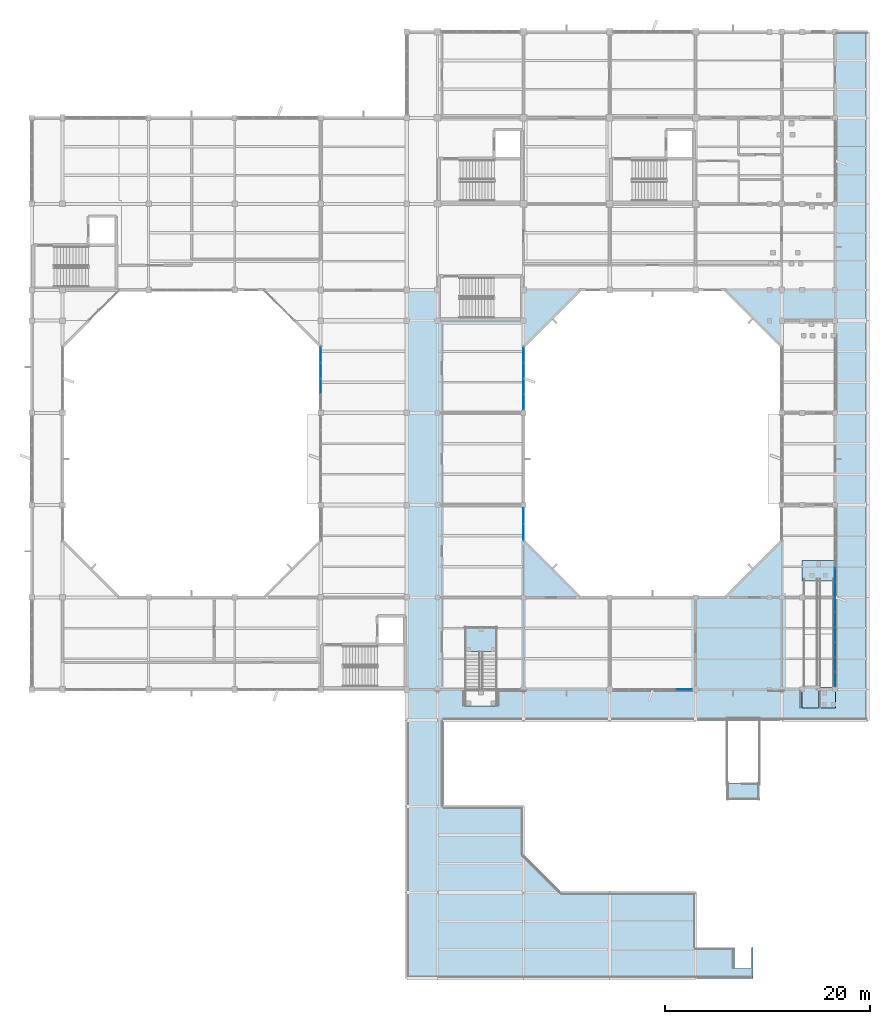
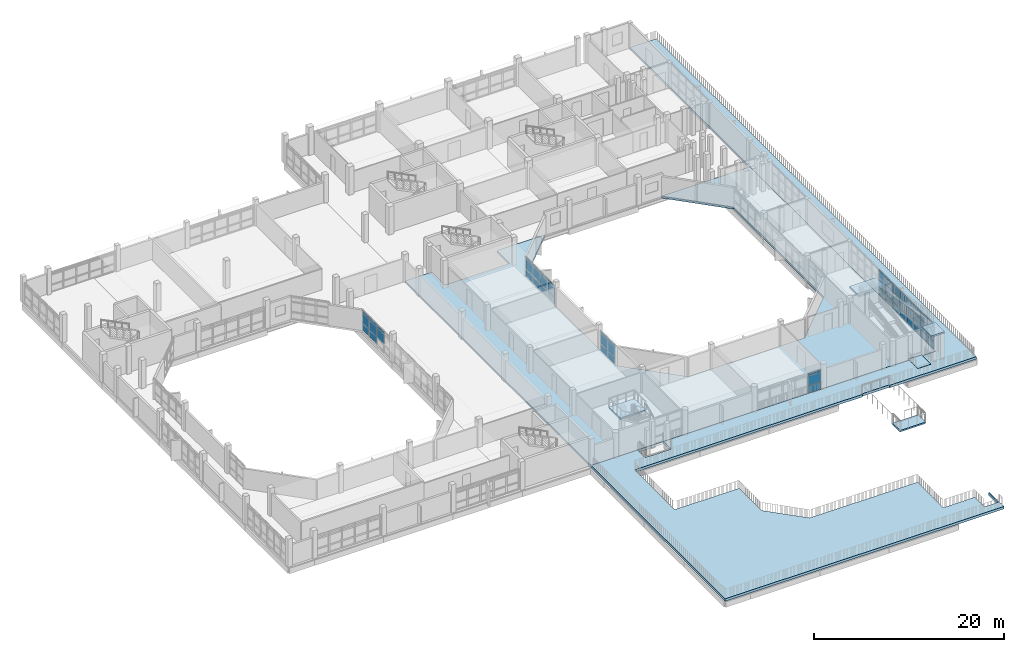
# One storey, part 25 of 51: 53 plates, 7 slabs, 7 elements without a shape of their own.
"""IFC4 building model written with IfcOpenShell, lengths in metres."""

from ifc_helpers import new_model, si_unit, direction, frame, origin, origin_2d, place, context, subcontext, project, spatial, polyline, rectangle, outline, extrude, material, layer, layer_set, type_object, element, aggregate, save


model = new_model("IFC4")

# Units and contexts
model_context = context("Model", 3, precision=1e-05, world=origin(), true_north=direction((0.0, 1.0)))
body_context = subcontext(model_context, "Body", "Model", "MODEL_VIEW")
ifc_project = project(units=[si_unit("LENGTHUNIT", "METRE"), si_unit("AREAUNIT", "SQUARE_METRE"), si_unit("VOLUMEUNIT", "CUBIC_METRE"), si_unit("PLANEANGLEUNIT", "RADIAN"), si_unit("MASSUNIT", "GRAM", prefix="KILO")], contexts=[model_context])

# Site, building, storey
site_placement = place(None, origin())
site = spatial("IfcSite", under=ifc_project, at=site_placement, CompositionType="ELEMENT")
building_placement = place(site_placement, origin())
building = spatial("IfcBuilding", under=site, at=building_placement, Name="Vanh Quang Courtyard School", CompositionType="ELEMENT")
storey_placement = place(building_placement, frame((0.0, 0.0, 11.39990234375)))
storey = spatial("IfcBuildingStorey", under=building, at=storey_placement, Name="L03", CompositionType="ELEMENT", Elevation=11.39990234375)

# Curtain wall, plates
ifc_material_1 = material(Name="Thermally broken aluminium unitised curtain wall", Category="aluminium")
curtain_wall_type_1 = type_object("IfcCurtainWallType", Name="CW-SYS-60", PredefinedType="NOTDEFINED", material=ifc_material_1)
curtain_wall_1_placement = place(storey_placement, origin())
curtain_wall_1 = element("IfcCurtainWall", 1, at=curtain_wall_1_placement, inside=storey, type_object=curtain_wall_type_1, Name="Curtain Wall CW-60 (L03)", PredefinedType="NOTDEFINED")
ifc_material_2 = material(Name="Low-E laminated double glazing", Category="glass")
ifc_layer_1 = layer(ifc_material_2, 0.028076171875)
ifc_layer_set_1 = layer_set([ifc_layer_1], Name="Low-E laminated double glazing")
plate_type_1 = type_object("IfcPlateType", Name="CW-PNL-28", PredefinedType="CURTAIN_PANEL", material=ifc_layer_set_1)
plate_1_placement = place(storey_placement, frame((116.199951171875, 43.58544921875, 0.080078125), z_axis=(0.0, 0.0, 1.0), x_axis=(0.0, -1.0, 0.0)))
plate_1 = element("IfcPlate", 2, at=plate_1_placement, type_object=plate_type_1, Name="CW-60 panel 5.1", PredefinedType="CURTAIN_PANEL", context=body_context, shape_type="SweptSolid", body=[
    extrude(rectangle(XDim=1.376953125, YDim=0.028076171875, at=origin_2d()), origin(), (0.0, 0.0, 1.0), 0.830078125),
])
plate_2_placement = place(storey_placement, frame((116.199951171875, 43.58544921875, 0.990234375), z_axis=(0.0, 0.0, 1.0), x_axis=(0.0, -1.0, 0.0)))
plate_2 = element("IfcPlate", 3, at=plate_2_placement, type_object=plate_type_1, Name="CW-60 panel 5.2", PredefinedType="CURTAIN_PANEL", context=body_context, shape_type="SweptSolid", body=[
    extrude(rectangle(XDim=1.376953125, YDim=0.028076171875, at=origin_2d()), origin(), (0.0, 0.0, 1.0), 1.219970703125),
])
plate_3_placement = place(storey_placement, frame((116.199951171875, 43.58544921875, 2.2900390625), z_axis=(0.0, 0.0, 1.0), x_axis=(0.0, -1.0, 0.0)))
plate_3 = element("IfcPlate", 4, at=plate_3_placement, type_object=plate_type_1, Name="CW-60 panel 5.3", PredefinedType="CURTAIN_PANEL", context=body_context, shape_type="SweptSolid", body=[
    extrude(rectangle(XDim=1.376953125, YDim=0.028076171875, at=origin_2d()), origin(), (0.0, 0.0, 1.0), 0.969970703125),
])
plate_4_placement = place(storey_placement, frame((116.199951171875, 42.12841796875, 0.080078125), z_axis=(0.0, 0.0, 1.0), x_axis=(0.0, -1.0, 0.0)))
plate_4 = element("IfcPlate", 5, at=plate_4_placement, type_object=plate_type_1, Name="CW-60 panel 6.1", PredefinedType="CURTAIN_PANEL", context=body_context, shape_type="SweptSolid", body=[
    extrude(rectangle(XDim=1.376953125, YDim=0.028076171875, at=origin_2d()), origin(), (0.0, 0.0, 1.0), 0.830078125),
])
plate_5_placement = place(storey_placement, frame((116.199951171875, 42.12841796875, 0.990234375), z_axis=(0.0, 0.0, 1.0), x_axis=(0.0, -1.0, 0.0)))
plate_5 = element("IfcPlate", 6, at=plate_5_placement, type_object=plate_type_1, Name="CW-60 panel 6.2", PredefinedType="CURTAIN_PANEL", context=body_context, shape_type="SweptSolid", body=[
    extrude(rectangle(XDim=1.376953125, YDim=0.028076171875, at=origin_2d()), origin(), (0.0, 0.0, 1.0), 1.219970703125),
])
plate_6_placement = place(storey_placement, frame((116.199951171875, 42.12841796875, 2.2900390625), z_axis=(0.0, 0.0, 1.0), x_axis=(0.0, -1.0, 0.0)))
plate_6 = element("IfcPlate", 7, at=plate_6_placement, type_object=plate_type_1, Name="CW-60 panel 6.3", PredefinedType="CURTAIN_PANEL", context=body_context, shape_type="SweptSolid", body=[
    extrude(rectangle(XDim=1.376953125, YDim=0.028076171875, at=origin_2d()), origin(), (0.0, 0.0, 1.0), 0.969970703125),
])
plate_7_placement = place(storey_placement, frame((116.199951171875, 40.67138671875, 0.080078125), z_axis=(0.0, 0.0, 1.0), x_axis=(0.0, -1.0, 0.0)))
plate_7 = element("IfcPlate", 8, at=plate_7_placement, type_object=plate_type_1, Name="CW-60 panel 7.1", PredefinedType="CURTAIN_PANEL", context=body_context, shape_type="SweptSolid", body=[
    extrude(rectangle(XDim=1.376953125, YDim=0.028076171875, at=origin_2d()), origin(), (0.0, 0.0, 1.0), 0.830078125),
])
plate_8_placement = place(storey_placement, frame((116.199951171875, 40.67138671875, 0.990234375), z_axis=(0.0, 0.0, 1.0), x_axis=(0.0, -1.0, 0.0)))
plate_8 = element("IfcPlate", 9, at=plate_8_placement, type_object=plate_type_1, Name="CW-60 panel 7.2", PredefinedType="CURTAIN_PANEL", context=body_context, shape_type="SweptSolid", body=[
    extrude(rectangle(XDim=1.376953125, YDim=0.028076171875, at=origin_2d()), origin(), (0.0, 0.0, 1.0), 1.219970703125),
])
plate_9_placement = place(storey_placement, frame((116.199951171875, 40.67138671875, 2.2900390625), z_axis=(0.0, 0.0, 1.0), x_axis=(0.0, -1.0, 0.0)))
plate_9 = element("IfcPlate", 10, at=plate_9_placement, type_object=plate_type_1, Name="CW-60 panel 7.3", PredefinedType="CURTAIN_PANEL", context=body_context, shape_type="SweptSolid", body=[
    extrude(rectangle(XDim=1.376953125, YDim=0.028076171875, at=origin_2d()), origin(), (0.0, 0.0, 1.0), 0.969970703125),
])
plate_10_placement = place(storey_placement, frame((116.199951171875, 39.214599609375, 0.080078125), z_axis=(0.0, 0.0, 1.0), x_axis=(0.0, -1.0, 0.0)))
plate_10 = element("IfcPlate", 11, at=plate_10_placement, type_object=plate_type_1, Name="CW-60 panel 8.1", PredefinedType="CURTAIN_PANEL", context=body_context, shape_type="SweptSolid", body=[
    extrude(rectangle(XDim=1.376953125, YDim=0.028076171875, at=origin_2d()), origin(), (0.0, 0.0, 1.0), 0.830078125),
])
plate_11_placement = place(storey_placement, frame((116.199951171875, 39.214599609375, 0.990234375), z_axis=(0.0, 0.0, 1.0), x_axis=(0.0, -1.0, 0.0)))
plate_11 = element("IfcPlate", 12, at=plate_11_placement, type_object=plate_type_1, Name="CW-60 panel 8.2", PredefinedType="CURTAIN_PANEL", context=body_context, shape_type="SweptSolid", body=[
    extrude(rectangle(XDim=1.376953125, YDim=0.028076171875, at=origin_2d()), origin(), (0.0, 0.0, 1.0), 1.219970703125),
])
plate_12_placement = place(storey_placement, frame((116.199951171875, 39.214599609375, 2.2900390625), z_axis=(0.0, 0.0, 1.0), x_axis=(0.0, -1.0, 0.0)))
plate_12 = element("IfcPlate", 13, at=plate_12_placement, type_object=plate_type_1, Name="CW-60 panel 8.3", PredefinedType="CURTAIN_PANEL", context=body_context, shape_type="SweptSolid", body=[
    extrude(rectangle(XDim=1.376953125, YDim=0.028076171875, at=origin_2d()), origin(), (0.0, 0.0, 1.0), 0.969970703125),
])
plate_13_placement = place(storey_placement, frame((116.199951171875, 37.757568359375, 0.080078125), z_axis=(0.0, 0.0, 1.0), x_axis=(0.0, -1.0, 0.0)))
plate_13 = element("IfcPlate", 14, at=plate_13_placement, type_object=plate_type_1, Name="CW-60 panel 9.1", PredefinedType="CURTAIN_PANEL", context=body_context, shape_type="SweptSolid", body=[
    extrude(rectangle(XDim=1.376953125, YDim=0.028076171875, at=origin_2d()), origin(), (0.0, 0.0, 1.0), 0.830078125),
])
plate_14_placement = place(storey_placement, frame((116.199951171875, 37.757568359375, 0.990234375), z_axis=(0.0, 0.0, 1.0), x_axis=(0.0, -1.0, 0.0)))
plate_14 = element("IfcPlate", 15, at=plate_14_placement, type_object=plate_type_1, Name="CW-60 panel 9.2", PredefinedType="CURTAIN_PANEL", context=body_context, shape_type="SweptSolid", body=[
    extrude(rectangle(XDim=1.376953125, YDim=0.028076171875, at=origin_2d()), origin(), (0.0, 0.0, 1.0), 1.219970703125),
])
plate_15_placement = place(storey_placement, frame((116.199951171875, 37.757568359375, 2.2900390625), z_axis=(0.0, 0.0, 1.0), x_axis=(0.0, -1.0, 0.0)))
plate_15 = element("IfcPlate", 16, at=plate_15_placement, type_object=plate_type_1, Name="CW-60 panel 9.3", PredefinedType="CURTAIN_PANEL", context=body_context, shape_type="SweptSolid", body=[
    extrude(rectangle(XDim=1.376953125, YDim=0.028076171875, at=origin_2d()), origin(), (0.0, 0.0, 1.0), 0.969970703125),
])
plate_16_placement = place(storey_placement, frame((116.199951171875, 36.300537109375, 0.080078125), z_axis=(0.0, 0.0, 1.0), x_axis=(0.0, -1.0, 0.0)))
plate_16 = element("IfcPlate", 17, at=plate_16_placement, type_object=plate_type_1, Name="CW-60 panel 10.1", PredefinedType="CURTAIN_PANEL", context=body_context, shape_type="SweptSolid", body=[
    extrude(rectangle(XDim=1.376953125, YDim=0.028076171875, at=origin_2d()), origin(), (0.0, 0.0, 1.0), 0.830078125),
])
plate_17_placement = place(storey_placement, frame((116.199951171875, 36.300537109375, 0.990234375), z_axis=(0.0, 0.0, 1.0), x_axis=(0.0, -1.0, 0.0)))
plate_17 = element("IfcPlate", 18, at=plate_17_placement, type_object=plate_type_1, Name="CW-60 panel 10.2", PredefinedType="CURTAIN_PANEL", context=body_context, shape_type="SweptSolid", body=[
    extrude(rectangle(XDim=1.376953125, YDim=0.028076171875, at=origin_2d()), origin(), (0.0, 0.0, 1.0), 1.219970703125),
])
plate_18_placement = place(storey_placement, frame((116.199951171875, 36.300537109375, 2.2900390625), z_axis=(0.0, 0.0, 1.0), x_axis=(0.0, -1.0, 0.0)))
plate_18 = element("IfcPlate", 19, at=plate_18_placement, type_object=plate_type_1, Name="CW-60 panel 10.3", PredefinedType="CURTAIN_PANEL", context=body_context, shape_type="SweptSolid", body=[
    extrude(rectangle(XDim=1.376953125, YDim=0.028076171875, at=origin_2d()), origin(), (0.0, 0.0, 1.0), 0.969970703125),
])
plate_19_placement = place(storey_placement, frame((116.199951171875, 34.843505859375, 0.080078125), z_axis=(0.0, 0.0, 1.0), x_axis=(0.0, -1.0, 0.0)))
plate_19 = element("IfcPlate", 20, at=plate_19_placement, type_object=plate_type_1, Name="CW-60 panel 11.1", PredefinedType="CURTAIN_PANEL", context=body_context, shape_type="SweptSolid", body=[
    extrude(rectangle(XDim=1.376953125, YDim=0.028076171875, at=origin_2d()), origin(), (0.0, 0.0, 1.0), 0.830078125),
])
plate_20_placement = place(storey_placement, frame((116.199951171875, 34.843505859375, 0.990234375), z_axis=(0.0, 0.0, 1.0), x_axis=(0.0, -1.0, 0.0)))
plate_20 = element("IfcPlate", 21, at=plate_20_placement, type_object=plate_type_1, Name="CW-60 panel 11.2", PredefinedType="CURTAIN_PANEL", context=body_context, shape_type="SweptSolid", body=[
    extrude(rectangle(XDim=1.376953125, YDim=0.028076171875, at=origin_2d()), origin(), (0.0, 0.0, 1.0), 1.219970703125),
])
plate_21_placement = place(storey_placement, frame((116.199951171875, 34.843505859375, 2.2900390625), z_axis=(0.0, 0.0, 1.0), x_axis=(0.0, -1.0, 0.0)))
plate_21 = element("IfcPlate", 22, at=plate_21_placement, type_object=plate_type_1, Name="CW-60 panel 11.3", PredefinedType="CURTAIN_PANEL", context=body_context, shape_type="SweptSolid", body=[
    extrude(rectangle(XDim=1.376953125, YDim=0.028076171875, at=origin_2d()), origin(), (0.0, 0.0, 1.0), 0.969970703125),
])
plate_22_placement = place(storey_placement, frame((116.199951171875, 33.406494140625, 0.080078125), z_axis=(0.0, 0.0, 1.0), x_axis=(0.0, -1.0, 0.0)))
plate_22 = element("IfcPlate", 23, at=plate_22_placement, type_object=plate_type_1, Name="CW-60 panel 12.1", PredefinedType="CURTAIN_PANEL", context=body_context, shape_type="SweptSolid", body=[
    extrude(rectangle(XDim=1.3369140625, YDim=0.028076171875, at=origin_2d()), origin(), (0.0, 0.0, 1.0), 0.830078125),
])
plate_23_placement = place(storey_placement, frame((116.199951171875, 33.406494140625, 0.990234375), z_axis=(0.0, 0.0, 1.0), x_axis=(0.0, -1.0, 0.0)))
plate_23 = element("IfcPlate", 24, at=plate_23_placement, type_object=plate_type_1, Name="CW-60 panel 12.2", PredefinedType="CURTAIN_PANEL", context=body_context, shape_type="SweptSolid", body=[
    extrude(rectangle(XDim=1.3369140625, YDim=0.028076171875, at=origin_2d()), origin(), (0.0, 0.0, 1.0), 1.219970703125),
])
plate_24_placement = place(storey_placement, frame((116.199951171875, 33.406494140625, 2.2900390625), z_axis=(0.0, 0.0, 1.0), x_axis=(0.0, -1.0, 0.0)))
plate_24 = element("IfcPlate", 25, at=plate_24_placement, type_object=plate_type_1, Name="CW-60 panel 12.3", PredefinedType="CURTAIN_PANEL", context=body_context, shape_type="SweptSolid", body=[
    extrude(rectangle(XDim=1.3369140625, YDim=0.028076171875, at=origin_2d()), origin(), (0.0, 0.0, 1.0), 0.969970703125),
])
aggregate(curtain_wall_1, [plate_1, plate_2, plate_3, plate_4, plate_5, plate_6, plate_7, plate_8, plate_9, plate_10, plate_11, plate_12, plate_13, plate_14, plate_15, plate_16, plate_17, plate_18, plate_19, plate_20, plate_21, plate_22, plate_23, plate_24])

curtain_wall_type_2 = type_object("IfcCurtainWallType", Name="CW-SYS-63", PredefinedType="NOTDEFINED", material=ifc_material_1)
curtain_wall_2_placement = place(storey_placement, origin())
curtain_wall_2 = element("IfcCurtainWall", 26, at=curtain_wall_2_placement, inside=storey, type_object=curtain_wall_type_2, Name="Curtain Wall CW-63 (L03)", PredefinedType="NOTDEFINED")
plate_25_placement = place(storey_placement, frame((85.800048828125, 49.327392578125, 0.06005859375), z_axis=(0.0, 0.0, 1.0), x_axis=(0.0, -1.0, 0.0)))
plate_25 = element("IfcPlate", 27, at=plate_25_placement, type_object=plate_type_1, Name="CW-63 panel 1.1", PredefinedType="CURTAIN_PANEL", context=body_context, shape_type="SweptSolid", body=[
    extrude(rectangle(XDim=1.509033203125, YDim=0.028076171875, at=origin_2d()), origin(), (0.0, 0.0, 1.0), 0.860107421875),
])
plate_26_placement = place(storey_placement, frame((85.800048828125, 49.327392578125, 0.97998046875), z_axis=(0.0, 0.0, 1.0), x_axis=(0.0, -1.0, 0.0)))
plate_26 = element("IfcPlate", 28, at=plate_26_placement, type_object=plate_type_1, Name="CW-63 panel 1.2", PredefinedType="CURTAIN_PANEL", context=body_context, shape_type="SweptSolid", body=[
    extrude(rectangle(XDim=1.509033203125, YDim=0.028076171875, at=origin_2d()), origin(), (0.0, 0.0, 1.0), 1.239990234375),
])
plate_27_placement = place(storey_placement, frame((85.800048828125, 49.327392578125, 2.280029296875), z_axis=(0.0, 0.0, 1.0), x_axis=(0.0, -1.0, 0.0)))
plate_27 = element("IfcPlate", 29, at=plate_27_placement, type_object=plate_type_1, Name="CW-63 panel 1.3", PredefinedType="CURTAIN_PANEL", context=body_context, shape_type="SweptSolid", body=[
    extrude(rectangle(XDim=1.509033203125, YDim=0.028076171875, at=origin_2d()), origin(), (0.0, 0.0, 1.0), 0.2900390625),
])
plate_28_placement = place(storey_placement, frame((85.800048828125, 47.758544921875, 0.06005859375), z_axis=(0.0, 0.0, 1.0), x_axis=(0.0, -1.0, 0.0)))
plate_28 = element("IfcPlate", 30, at=plate_28_placement, type_object=plate_type_1, Name="CW-63 panel 2.1", PredefinedType="CURTAIN_PANEL", context=body_context, shape_type="SweptSolid", body=[
    extrude(rectangle(XDim=1.509033203125, YDim=0.028076171875, at=origin_2d()), origin(), (0.0, 0.0, 1.0), 0.860107421875),
])
plate_29_placement = place(storey_placement, frame((85.800048828125, 47.758544921875, 0.97998046875), z_axis=(0.0, 0.0, 1.0), x_axis=(0.0, -1.0, 0.0)))
plate_29 = element("IfcPlate", 31, at=plate_29_placement, type_object=plate_type_1, Name="CW-63 panel 2.2", PredefinedType="CURTAIN_PANEL", context=body_context, shape_type="SweptSolid", body=[
    extrude(rectangle(XDim=1.509033203125, YDim=0.028076171875, at=origin_2d()), origin(), (0.0, 0.0, 1.0), 1.239990234375),
])
plate_30_placement = place(storey_placement, frame((85.800048828125, 47.758544921875, 2.280029296875), z_axis=(0.0, 0.0, 1.0), x_axis=(0.0, -1.0, 0.0)))
plate_30 = element("IfcPlate", 32, at=plate_30_placement, type_object=plate_type_1, Name="CW-63 panel 2.3", PredefinedType="CURTAIN_PANEL", context=body_context, shape_type="SweptSolid", body=[
    extrude(rectangle(XDim=1.509033203125, YDim=0.028076171875, at=origin_2d()), origin(), (0.0, 0.0, 1.0), 0.2900390625),
])
aggregate(curtain_wall_2, [plate_25, plate_26, plate_27, plate_28, plate_29, plate_30])

curtain_wall_type_3 = type_object("IfcCurtainWallType", Name="CW-SYS-21", PredefinedType="NOTDEFINED", material=ifc_material_1)
curtain_wall_3_placement = place(storey_placement, origin())
curtain_wall_3 = element("IfcCurtainWall", 33, at=curtain_wall_3_placement, inside=storey, type_object=curtain_wall_type_3, Name="Curtain Wall CW-21 (L03)", PredefinedType="NOTDEFINED")
ifc_layer_2 = layer(ifc_material_2, 0.031982421875)
ifc_layer_set_2 = layer_set([ifc_layer_2], Name="Low-E laminated double glazing")
plate_type_2 = type_object("IfcPlateType", Name="CW-PNL-32", PredefinedType="CURTAIN_PANEL", material=ifc_layer_set_2)
plate_31_placement = place(storey_placement, frame((101.478515625, 32.39990234375, 0.06005859375), z_axis=(0.0, 0.0, 1.0), x_axis=(-1.0, 0.0, 0.0)))
plate_31 = element("IfcPlate", 34, at=plate_31_placement, type_object=plate_type_2, Name="CW-21 panel 1.1", PredefinedType="CURTAIN_PANEL", context=body_context, shape_type="SweptSolid", body=[
    extrude(rectangle(XDim=1.456787109375, YDim=0.031982421875, at=origin_2d()), origin(), (0.0, 0.0, 1.0), 0.860107421875),
])
plate_32_placement = place(storey_placement, frame((101.478515625, 32.39990234375, 0.97998046875), z_axis=(0.0, 0.0, 1.0), x_axis=(-1.0, 0.0, 0.0)))
plate_32 = element("IfcPlate", 35, at=plate_32_placement, type_object=plate_type_2, Name="CW-21 panel 1.2", PredefinedType="CURTAIN_PANEL", context=body_context, shape_type="SweptSolid", body=[
    extrude(rectangle(XDim=1.456787109375, YDim=0.031982421875, at=origin_2d()), origin(), (0.0, 0.0, 1.0), 1.239990234375),
])
plate_33_placement = place(storey_placement, frame((101.478515625, 32.39990234375, 2.2802734375), z_axis=(0.0, 0.0, 1.0), x_axis=(-1.0, 0.0, 0.0)))
plate_33 = element("IfcPlate", 36, at=plate_33_placement, type_object=plate_type_2, Name="CW-21 panel 1.3", PredefinedType="CURTAIN_PANEL", context=body_context, shape_type="SweptSolid", body=[
    extrude(rectangle(XDim=1.456787109375, YDim=0.031982421875, at=origin_2d()), origin(), (0.0, 0.0, 1.0), 0.239990234375),
])
aggregate(curtain_wall_3, [plate_31, plate_32, plate_33])

curtain_wall_type_4 = type_object("IfcCurtainWallType", Name="CW-SYS-44", PredefinedType="NOTDEFINED", material=ifc_material_1)
curtain_wall_4_placement = place(storey_placement, origin())
curtain_wall_4 = element("IfcCurtainWall", 37, at=curtain_wall_4_placement, inside=storey, type_object=curtain_wall_type_4, Name="Curtain Wall CW-44 (L03)", PredefinedType="NOTDEFINED")
plate_34_placement = place(storey_placement, frame((66.0, 61.997802734375, 0.985107421875), z_axis=(0.0, 0.0, 1.0), x_axis=(0.0, 1.0, 0.0)))
plate_34 = element("IfcPlate", 38, at=plate_34_placement, type_object=plate_type_2, Name="CW-44 panel 2.2", PredefinedType="CURTAIN_PANEL", context=body_context, shape_type="SweptSolid", body=[
    extrude(rectangle(XDim=1.47314453125, YDim=0.031982421875, at=origin_2d()), origin(), (0.0, 0.0, 1.0), 1.22998046875),
])
plate_35_placement = place(storey_placement, frame((66.0, 61.997802734375, 2.28515625), z_axis=(0.0, 0.0, 1.0), x_axis=(0.0, 1.0, 0.0)))
plate_35 = element("IfcPlate", 39, at=plate_35_placement, type_object=plate_type_2, Name="CW-44 panel 2.3", PredefinedType="CURTAIN_PANEL", context=body_context, shape_type="SweptSolid", body=[
    extrude(rectangle(XDim=1.47314453125, YDim=0.031982421875, at=origin_2d()), origin(), (0.0, 0.0, 1.0), 0.284912109375),
])
plate_36_placement = place(storey_placement, frame((66.0, 63.541015625, 0.0703125), z_axis=(0.0, 0.0, 1.0), x_axis=(0.0, 1.0, 0.0)))
plate_36 = element("IfcPlate", 40, at=plate_36_placement, type_object=plate_type_2, Name="CW-44 panel 3.1", PredefinedType="CURTAIN_PANEL", context=body_context, shape_type="SweptSolid", body=[
    extrude(rectangle(XDim=1.47314453125, YDim=0.031982421875, at=origin_2d()), origin(), (0.0, 0.0, 1.0), 0.844970703125),
])
plate_37_placement = place(storey_placement, frame((66.0, 63.541015625, 0.985107421875), z_axis=(0.0, 0.0, 1.0), x_axis=(0.0, 1.0, 0.0)))
plate_37 = element("IfcPlate", 41, at=plate_37_placement, type_object=plate_type_2, Name="CW-44 panel 3.2", PredefinedType="CURTAIN_PANEL", context=body_context, shape_type="SweptSolid", body=[
    extrude(rectangle(XDim=1.47314453125, YDim=0.031982421875, at=origin_2d()), origin(), (0.0, 0.0, 1.0), 1.22998046875),
])
plate_38_placement = place(storey_placement, frame((66.0, 63.541015625, 2.28515625), z_axis=(0.0, 0.0, 1.0), x_axis=(0.0, 1.0, 0.0)))
plate_38 = element("IfcPlate", 42, at=plate_38_placement, type_object=plate_type_2, Name="CW-44 panel 3.3", PredefinedType="CURTAIN_PANEL", context=body_context, shape_type="SweptSolid", body=[
    extrude(rectangle(XDim=1.47314453125, YDim=0.031982421875, at=origin_2d()), origin(), (0.0, 0.0, 1.0), 0.284912109375),
])
plate_39_placement = place(storey_placement, frame((66.0, 65.06689453125, 0.0703125), z_axis=(0.0, 0.0, 1.0), x_axis=(0.0, 1.0, 0.0)))
plate_39 = element("IfcPlate", 43, at=plate_39_placement, type_object=plate_type_2, Name="CW-44 panel 4.1", PredefinedType="CURTAIN_PANEL", context=body_context, shape_type="SweptSolid", body=[
    extrude(rectangle(XDim=1.438232421875, YDim=0.031982421875, at=origin_2d()), origin(), (0.0, 0.0, 1.0), 0.844970703125),
])
plate_40_placement = place(storey_placement, frame((66.0, 65.06689453125, 0.985107421875), z_axis=(0.0, 0.0, 1.0), x_axis=(0.0, 1.0, 0.0)))
plate_40 = element("IfcPlate", 44, at=plate_40_placement, type_object=plate_type_2, Name="CW-44 panel 4.2", PredefinedType="CURTAIN_PANEL", context=body_context, shape_type="SweptSolid", body=[
    extrude(rectangle(XDim=1.438232421875, YDim=0.031982421875, at=origin_2d()), origin(), (0.0, 0.0, 1.0), 1.22998046875),
])
plate_41_placement = place(storey_placement, frame((66.0, 65.06689453125, 2.28515625), z_axis=(0.0, 0.0, 1.0), x_axis=(0.0, 1.0, 0.0)))
plate_41 = element("IfcPlate", 45, at=plate_41_placement, type_object=plate_type_2, Name="CW-44 panel 4.3", PredefinedType="CURTAIN_PANEL", context=body_context, shape_type="SweptSolid", body=[
    extrude(rectangle(XDim=1.438232421875, YDim=0.031982421875, at=origin_2d()), origin(), (0.0, 0.0, 1.0), 0.284912109375),
])
aggregate(curtain_wall_4, [plate_34, plate_35, plate_36, plate_37, plate_38, plate_39, plate_40, plate_41])

curtain_wall_5_placement = place(storey_placement, origin())
curtain_wall_5 = element("IfcCurtainWall", 46, at=curtain_wall_5_placement, inside=storey, type_object=curtain_wall_type_4, Name="Curtain Wall CW-44 (L03)", PredefinedType="NOTDEFINED")
plate_42_placement = place(storey_placement, frame((85.800048828125, 65.061279296875, 0.080078125), z_axis=(0.0, 0.0, 1.0), x_axis=(0.0, -1.0, 0.0)))
plate_42 = element("IfcPlate", 47, at=plate_42_placement, type_object=plate_type_2, Name="CW-44 panel 1.1", PredefinedType="CURTAIN_PANEL", context=body_context, shape_type="SweptSolid", body=[
    extrude(rectangle(XDim=1.429443359375, YDim=0.031982421875, at=origin_2d()), origin(), (0.0, 0.0, 1.0), 0.830078125),
])
plate_43_placement = place(storey_placement, frame((85.800048828125, 65.061279296875, 0.990234375), z_axis=(0.0, 0.0, 1.0), x_axis=(0.0, -1.0, 0.0)))
plate_43 = element("IfcPlate", 48, at=plate_43_placement, type_object=plate_type_2, Name="CW-44 panel 1.2", PredefinedType="CURTAIN_PANEL", context=body_context, shape_type="SweptSolid", body=[
    extrude(rectangle(XDim=1.429443359375, YDim=0.031982421875, at=origin_2d()), origin(), (0.0, 0.0, 1.0), 1.219970703125),
])
plate_44_placement = place(storey_placement, frame((85.800048828125, 65.061279296875, 2.2900390625), z_axis=(0.0, 0.0, 1.0), x_axis=(0.0, -1.0, 0.0)))
plate_44 = element("IfcPlate", 49, at=plate_44_placement, type_object=plate_type_2, Name="CW-44 panel 1.3", PredefinedType="CURTAIN_PANEL", context=body_context, shape_type="SweptSolid", body=[
    extrude(rectangle(XDim=1.429443359375, YDim=0.031982421875, at=origin_2d()), origin(), (0.0, 0.0, 1.0), 0.2099609375),
])
plate_45_placement = place(storey_placement, frame((85.800048828125, 63.53173828125, 0.080078125), z_axis=(0.0, 0.0, 1.0), x_axis=(0.0, -1.0, 0.0)))
plate_45 = element("IfcPlate", 50, at=plate_45_placement, type_object=plate_type_2, Name="CW-44 panel 2.1", PredefinedType="CURTAIN_PANEL", context=body_context, shape_type="SweptSolid", body=[
    extrude(rectangle(XDim=1.469482421875, YDim=0.031982421875, at=origin_2d()), origin(), (0.0, 0.0, 1.0), 0.830078125),
])
plate_46_placement = place(storey_placement, frame((85.800048828125, 63.53173828125, 0.990234375), z_axis=(0.0, 0.0, 1.0), x_axis=(0.0, -1.0, 0.0)))
plate_46 = element("IfcPlate", 51, at=plate_46_placement, type_object=plate_type_2, Name="CW-44 panel 2.2", PredefinedType="CURTAIN_PANEL", context=body_context, shape_type="SweptSolid", body=[
    extrude(rectangle(XDim=1.469482421875, YDim=0.031982421875, at=origin_2d()), origin(), (0.0, 0.0, 1.0), 1.219970703125),
])
plate_47_placement = place(storey_placement, frame((85.800048828125, 63.53173828125, 2.2900390625), z_axis=(0.0, 0.0, 1.0), x_axis=(0.0, -1.0, 0.0)))
plate_47 = element("IfcPlate", 52, at=plate_47_placement, type_object=plate_type_2, Name="CW-44 panel 2.3", PredefinedType="CURTAIN_PANEL", context=body_context, shape_type="SweptSolid", body=[
    extrude(rectangle(XDim=1.469482421875, YDim=0.031982421875, at=origin_2d()), origin(), (0.0, 0.0, 1.0), 0.2099609375),
])
plate_48_placement = place(storey_placement, frame((85.800048828125, 61.982177734375, 0.080078125), z_axis=(0.0, 0.0, 1.0), x_axis=(0.0, -1.0, 0.0)))
plate_48 = element("IfcPlate", 53, at=plate_48_placement, type_object=plate_type_2, Name="CW-44 panel 3.1", PredefinedType="CURTAIN_PANEL", context=body_context, shape_type="SweptSolid", body=[
    extrude(rectangle(XDim=1.469482421875, YDim=0.031982421875, at=origin_2d()), origin(), (0.0, 0.0, 1.0), 0.830078125),
])
plate_49_placement = place(storey_placement, frame((85.800048828125, 61.982177734375, 0.990234375), z_axis=(0.0, 0.0, 1.0), x_axis=(0.0, -1.0, 0.0)))
plate_49 = element("IfcPlate", 54, at=plate_49_placement, type_object=plate_type_2, Name="CW-44 panel 3.2", PredefinedType="CURTAIN_PANEL", context=body_context, shape_type="SweptSolid", body=[
    extrude(rectangle(XDim=1.469482421875, YDim=0.031982421875, at=origin_2d()), origin(), (0.0, 0.0, 1.0), 1.219970703125),
])
plate_50_placement = place(storey_placement, frame((85.800048828125, 61.982177734375, 2.2900390625), z_axis=(0.0, 0.0, 1.0), x_axis=(0.0, -1.0, 0.0)))
plate_50 = element("IfcPlate", 55, at=plate_50_placement, type_object=plate_type_2, Name="CW-44 panel 3.3", PredefinedType="CURTAIN_PANEL", context=body_context, shape_type="SweptSolid", body=[
    extrude(rectangle(XDim=1.469482421875, YDim=0.031982421875, at=origin_2d()), origin(), (0.0, 0.0, 1.0), 0.2099609375),
])
plate_51_placement = place(storey_placement, frame((85.800048828125, 60.45263671875, 0.080078125), z_axis=(0.0, 0.0, 1.0), x_axis=(0.0, -1.0, 0.0)))
plate_51 = element("IfcPlate", 56, at=plate_51_placement, type_object=plate_type_2, Name="CW-44 panel 4.1", PredefinedType="CURTAIN_PANEL", context=body_context, shape_type="SweptSolid", body=[
    extrude(rectangle(XDim=1.429443359375, YDim=0.031982421875, at=origin_2d()), origin(), (0.0, 0.0, 1.0), 0.830078125),
])
plate_52_placement = place(storey_placement, frame((85.800048828125, 60.45263671875, 0.990234375), z_axis=(0.0, 0.0, 1.0), x_axis=(0.0, -1.0, 0.0)))
plate_52 = element("IfcPlate", 57, at=plate_52_placement, type_object=plate_type_2, Name="CW-44 panel 4.2", PredefinedType="CURTAIN_PANEL", context=body_context, shape_type="SweptSolid", body=[
    extrude(rectangle(XDim=1.429443359375, YDim=0.031982421875, at=origin_2d()), origin(), (0.0, 0.0, 1.0), 1.219970703125),
])
plate_53_placement = place(storey_placement, frame((85.800048828125, 60.45263671875, 2.2900390625), z_axis=(0.0, 0.0, 1.0), x_axis=(0.0, -1.0, 0.0)))
plate_53 = element("IfcPlate", 58, at=plate_53_placement, type_object=plate_type_2, Name="CW-44 panel 4.3", PredefinedType="CURTAIN_PANEL", context=body_context, shape_type="SweptSolid", body=[
    extrude(rectangle(XDim=1.429443359375, YDim=0.031982421875, at=origin_2d()), origin(), (0.0, 0.0, 1.0), 0.2099609375),
])
aggregate(curtain_wall_5, [plate_42, plate_43, plate_44, plate_45, plate_46, plate_47, plate_48, plate_49, plate_50, plate_51, plate_52, plate_53])

# Slabs
ifc_material_3 = material(Name="Concrete C30/37", Category="concrete")
ifc_layer_3 = layer(ifc_material_3, 0.260009765625)
ifc_layer_set_3 = layer_set([ifc_layer_3], Name="Concrete C30/37")
slab_type_1 = type_object("IfcSlabType", Name="SLB-FLR-260", PredefinedType="FLOOR", material=ifc_layer_set_3)
slab_1_placement = place(storey_placement, frame((0.0, 0.0, -0.260009765625)))
element("IfcSlab", 59, at=slab_1_placement, inside=storey, type_object=slab_type_1, Name="Slab SF-03 (L03)", PredefinedType="FLOOR", context=body_context, shape_type="SweptSolid", body=[
    extrude(outline(polyline([(116.199951171875, 71.39990234375), (105.4560546875, 71.39990234375), (111.0, 65.85595703125), (111.0, 46.944091796875), (105.4560546875, 41.39990234375), (91.343994140625, 41.39990234375), (85.800048828125, 46.944091796875), (85.800048828125, 65.85595703125), (91.343994140625, 71.39990234375), (85.52001953125, 71.39990234375), (85.52001953125, 68.679931640625), (77.679931640625, 68.679931640625), (77.679931640625, 71.39990234375), (74.39990234375, 71.39990234375), (74.39990234375, 32.39990234375), (112.985107421875, 32.39990234375), (112.985107421875, 32.6015625), (112.989501953125, 32.610595703125), (112.99853515625, 32.614990234375), (114.580078125, 32.614990234375), (114.590576171875, 32.610595703125), (114.594970703125, 32.6015625), (114.594970703125, 32.39990234375), (116.199951171875, 32.39990234375), (116.199951171875, 71.39990234375)])), origin(), (0.0, 0.0, 1.0), 0.260009765625),
])
ifc_material_4 = material(Name="Concrete C35/45", Category="concrete")
ifc_layer_4 = layer(ifc_material_4, 0.320068359375)
ifc_layer_set_4 = layer_set([ifc_layer_4], Name="Concrete C35/45")
slab_type_2 = type_object("IfcSlabType", Name="SLB-PDK-320", PredefinedType="FLOOR", material=ifc_layer_set_4)
slab_2_placement = place(storey_placement, frame((0.0, 0.0, -0.31982421875)))
element("IfcSlab", 60, at=slab_2_placement, inside=storey, type_object=slab_type_2, Name="Slab SP-01 (L03)", PredefinedType="FLOOR", context=body_context, shape_type="SweptSolid", body=[
    extrude(outline(polyline([(108.199951171875, 4.199951171875), (108.199951171875, 7.199951171875), (108.054931640625, 7.199951171875), (108.054931640625, 5.199951171875), (108.051513671875, 5.1904296875), (108.0400390625, 5.18505859375), (106.419921875, 5.18505859375), (106.409423828125, 5.189453125), (106.405029296875, 5.199951171875), (106.405029296875, 7.199951171875), (102.60009765625, 7.199951171875), (102.60009765625, 12.60009765625), (89.49609375, 12.60009765625), (85.800048828125, 16.2958984375), (85.800048828125, 21.0), (78.0, 21.0), (78.0, 29.39990234375), (105.60009765625, 29.39990234375), (105.60009765625, 29.5), (108.89990234375, 29.5), (108.89990234375, 29.39990234375), (119.39990234375, 29.39990234375), (119.39990234375, 96.60009765625), (116.199951171875, 96.60009765625), (116.199951171875, 32.39990234375), (114.594970703125, 32.39990234375), (114.594970703125, 30.60009765625), (114.591552734375, 30.590576171875), (114.580078125, 30.5849609375), (113.0, 30.5849609375), (112.989501953125, 30.58935546875), (112.985107421875, 30.60009765625), (112.985107421875, 32.39990234375), (74.39990234375, 32.39990234375), (74.39990234375, 4.199951171875), (108.199951171875, 4.199951171875)]), holes=[polyline([(80.08935546875, 30.789306640625), (80.0849609375, 30.800048828125), (80.0849609375, 32.3798828125), (80.0869140625, 32.38720703125), (80.093017578125, 32.393310546875), (83.199951171875, 32.39501953125), (83.208251953125, 32.392578125), (83.213134765625, 32.38720703125), (83.215087890625, 30.800048828125), (83.213134765625, 30.79296875), (83.20703125, 30.786865234375), (80.10009765625, 30.784912109375), (80.08935546875, 30.789306640625)])]), origin(), (0.0, 0.0, 1.0), 0.31982421875),
])

# Ramp, slabs
ramp_type = type_object("IfcRampType", Name="RAMP-ACC-1400", PredefinedType="TWO_STRAIGHT_RUN_RAMP", material=ifc_material_3)
ramp_placement = place(storey_placement, origin())
ramp = element("IfcRamp", 61, at=ramp_placement, inside=storey, type_object=ramp_type, Name="Ramp RMP-04 (L03)", PredefinedType="TWO_STRAIGHT_RUN_RAMP")
ifc_layer_5 = layer(ifc_material_3, 0.219970703125)
ifc_layer_set_5 = layer_set([ifc_layer_5], Name="Concrete C30/37")
slab_type_3 = type_object("IfcSlabType", Name="SLB-RMPLND-220", PredefinedType="LANDING", material=ifc_layer_set_5)
slab_3_placement = place(storey_placement, frame((0.0, 0.0, -0.219970703125)))
slab_3 = element("IfcSlab", 62, at=slab_3_placement, type_object=slab_type_3, Name="Slab SL-RMP (L03)", PredefinedType="LANDING", context=body_context, shape_type="SweptSolid", body=[
    extrude(outline(polyline([(114.580078125, 30.60009765625), (114.580078125, 32.60009765625), (113.0, 32.60009765625), (113.0, 30.60009765625), (114.580078125, 30.60009765625)])), origin(), (0.0, 0.0, 1.0), 0.219970703125),
])
slab_4_placement = place(storey_placement, frame((0.0, 0.0, 1.580078125)))
slab_4 = element("IfcSlab", 63, at=slab_4_placement, type_object=slab_type_3, Name="Slab SL-RMP (L03)", PredefinedType="LANDING", context=body_context, shape_type="SweptSolid", body=[
    extrude(outline(polyline([(116.239990234375, 43.0), (116.239990234375, 45.0), (113.0, 45.0), (113.0, 43.0), (116.239990234375, 43.0)])), origin(), (0.0, 0.0, 1.0), 0.219970703125),
])
slab_5_placement = place(storey_placement, frame((0.0, 0.0, 3.380126953125)))
slab_5 = element("IfcSlab", 64, at=slab_5_placement, type_object=slab_type_3, Name="Slab SL-RMP (L03)", PredefinedType="LANDING", context=body_context, shape_type="SweptSolid", body=[
    extrude(outline(polyline([(116.239990234375, 30.60009765625), (116.239990234375, 32.60009765625), (114.6201171875, 32.60009765625), (114.6201171875, 30.60009765625), (116.239990234375, 30.60009765625)])), origin(), (0.0, 0.0, 1.0), 0.219970703125),
])
aggregate(ramp, [slab_3, slab_4, slab_5])

# Slab
ifc_layer_6 = layer(ifc_material_3, 0.199951171875)
ifc_layer_set_6 = layer_set([ifc_layer_6], Name="Concrete C30/37")
slab_type_4 = type_object("IfcSlabType", Name="SLB-TLND-200", PredefinedType="LANDING", material=ifc_layer_set_6)
slab_6_placement = place(storey_placement, frame((0.0, 0.0, -0.199951171875)))
element("IfcSlab", 65, at=slab_6_placement, inside=storey, type_object=slab_type_4, Name="Slab SL-02 (L03)", PredefinedType="LANDING", context=body_context, shape_type="SweptSolid", body=[
    extrude(outline(polyline([(105.699951171875, 21.699951171875), (108.800048828125, 21.699951171875), (108.800048828125, 23.280029296875), (105.699951171875, 23.280029296875), (105.699951171875, 21.699951171875)])), origin(), (0.0, 0.0, 1.0), 0.199951171875),
])

# Stair, slab
stair_type = type_object("IfcStairType", Name="STR-CORE-1450", PredefinedType="HALF_TURN_STAIR", material=ifc_material_3)
stair_placement = place(storey_placement, origin())
stair = element("IfcStair", 66, at=stair_placement, inside=storey, type_object=stair_type, Name="L03 ST-T4", PredefinedType="HALF_TURN_STAIR")
slab_7_placement = place(storey_placement, frame((0.0, 0.0, 1.60009765625)))
slab_7 = element("IfcSlab", 67, at=slab_7_placement, type_object=slab_type_4, Name="ST-T4 landing 1", PredefinedType="LANDING", context=body_context, shape_type="SweptSolid", body=[
    extrude(outline(polyline([(83.199951171875, 36.090087890625), (83.199951171875, 38.5), (80.10009765625, 38.5), (80.10009765625, 36.090087890625), (83.199951171875, 36.090087890625)])), origin(), (0.0, 0.0, 1.0), 0.199951171875),
])
aggregate(stair, [slab_7])

save(model, "model.ifc")
